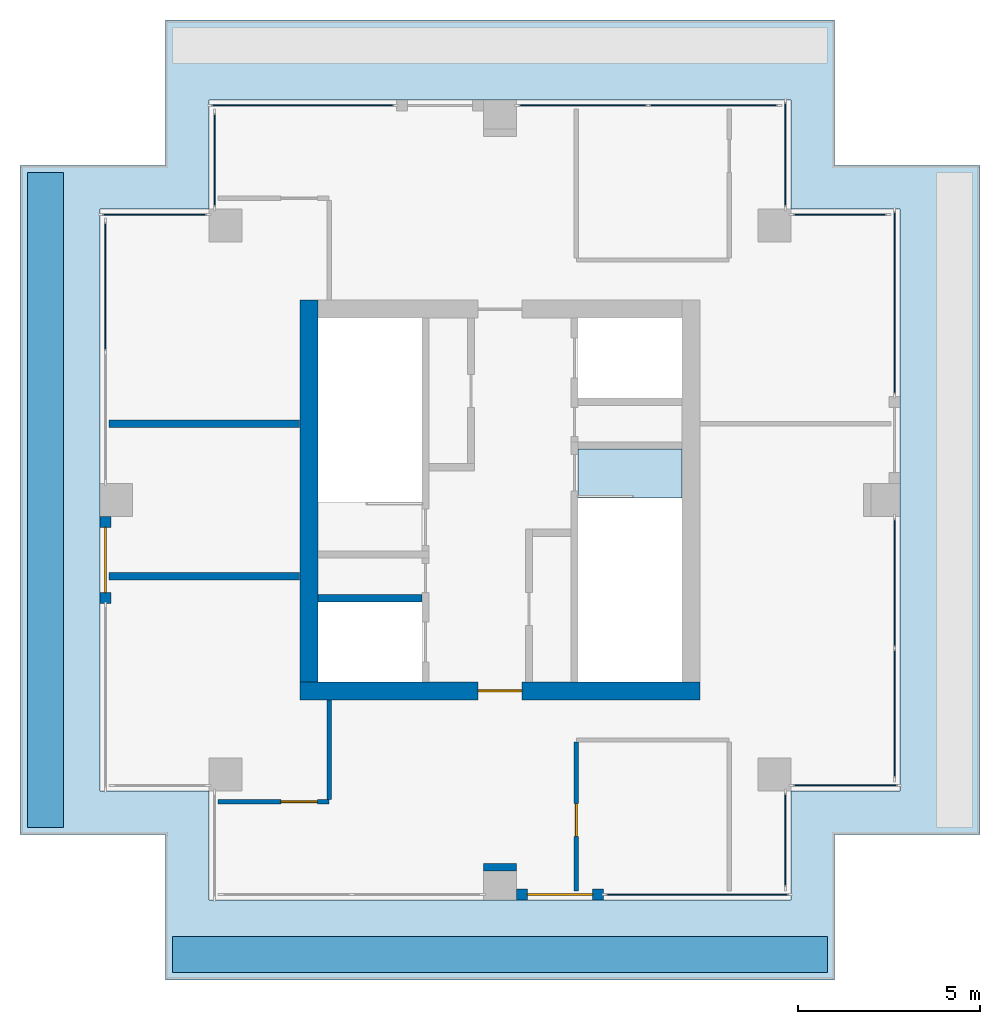
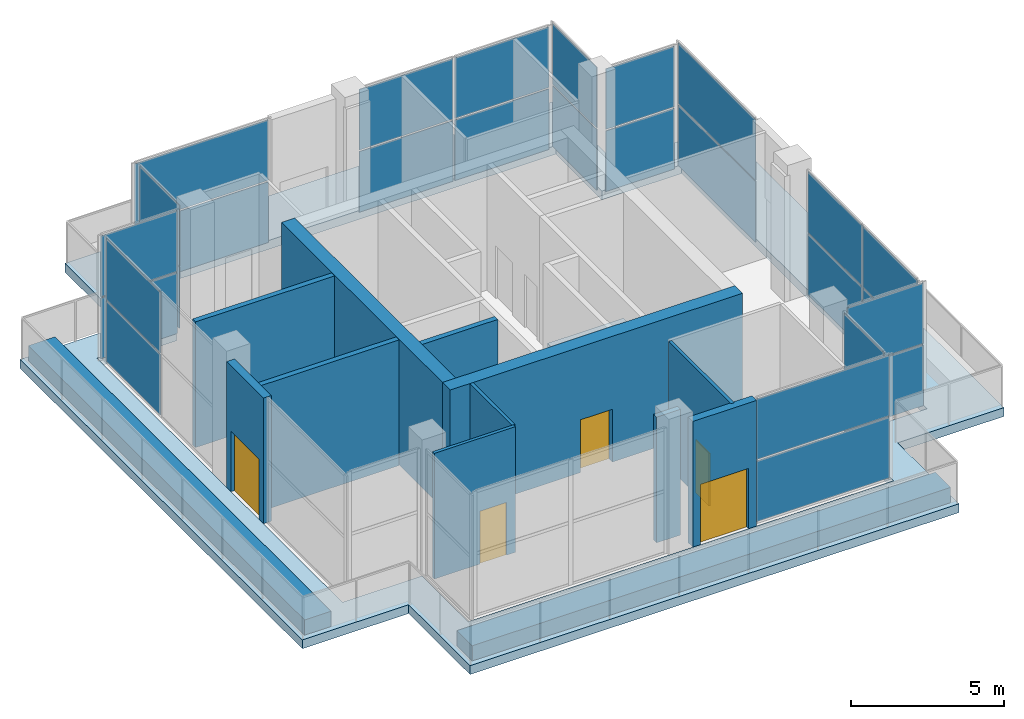
# One storey, part 3 of 5: 28 plates, 13 walls, 5 doors, 2 slabs, 5 openings, 12 elements without a shape of their own.
"""IFC4 building model written with IfcOpenShell, lengths in metres."""

from ifc_helpers import new_model, si_unit, direction, frame, frame_2d, origin, origin_2d, place, context, subcontext, project, spatial, polyline, rectangle, outline, extrude, material, layer, layer_set, type_object, element, fill, aggregate, save


model = new_model("IFC4")

# Units and contexts
model_context = context("Model", 3, precision=1e-05, world=origin(), true_north=direction((0.0, 1.0)))
body_context = subcontext(model_context, "Body", "Model", "MODEL_VIEW")
ifc_project = project(units=[si_unit("LENGTHUNIT", "METRE"), si_unit("AREAUNIT", "SQUARE_METRE"), si_unit("VOLUMEUNIT", "CUBIC_METRE"), si_unit("PLANEANGLEUNIT", "RADIAN"), si_unit("MASSUNIT", "GRAM", prefix="KILO")], contexts=[model_context])

# Site, building, storey
site_placement = place(None, origin())
site = spatial("IfcSite", under=ifc_project, at=site_placement, CompositionType="ELEMENT")
building_placement = place(site_placement, origin())
building = spatial("IfcBuilding", under=site, at=building_placement, Name="Khepri Terraces", CompositionType="ELEMENT")
storey_placement = place(building_placement, frame((0.0, 0.0, 316.199951171875)))
storey = spatial("IfcBuildingStorey", under=building, at=storey_placement, Name="L76", CompositionType="ELEMENT", Elevation=316.199951171875)

# Curtain wall, plates
ifc_material_1 = material(Name="Anodised aluminium bronze curtain wall", Category="aluminium")
curtain_wall_type = type_object("IfcCurtainWallType", Name="CW-SYS4-LANTERN", PredefinedType="NOTDEFINED", material=ifc_material_1)
curtain_wall_1_placement = place(storey_placement, origin())
curtain_wall_1 = element("IfcCurtainWall", 1, at=curtain_wall_1_placement, inside=storey, type_object=curtain_wall_type, Name="Curtain wall CW4 L76 S", PredefinedType="NOTDEFINED")
ifc_material_2 = material(Name="Clear glass", Category="glass")
ifc_layer_1 = layer(ifc_material_2, 0.028076171875, Name="Clear glass", Category="glass")
ifc_layer_set_1 = layer_set([ifc_layer_1], Name="Clear glass")
plate_type = type_object("IfcPlateType", Name="CW-PANEL-VISION-28", PredefinedType="CURTAIN_PANEL", material=ifc_layer_set_1)
plate_1_placement = place(storey_placement, frame((5.425048828125, -10.85009765625, 0.06005859375), z_axis=(0.0, 0.0, 1.0), x_axis=(1.0, 0.0, 0.0)))
plate_1 = element("IfcPlate", 2, at=plate_1_placement, type_object=plate_type, Name="CW4 panel 1.1", PredefinedType="CURTAIN_PANEL", context=body_context, shape_type="SweptSolid", body=[
    extrude(rectangle(XDim=5.030029296875, YDim=0.028076171875, at=origin_2d()), origin(), (0.0, 0.0, 1.0), 2.409912109375),
])
plate_2_placement = place(storey_placement, frame((5.425048828125, -10.85009765625, 2.5302734375), z_axis=(0.0, 0.0, 1.0), x_axis=(1.0, 0.0, 0.0)))
plate_2 = element("IfcPlate", 3, at=plate_2_placement, type_object=plate_type, Name="CW4 panel 1.2", PredefinedType="CURTAIN_PANEL", context=body_context, shape_type="SweptSolid", body=[
    extrude(rectangle(XDim=5.030029296875, YDim=0.028076171875, at=origin_2d()), origin(), (0.0, 0.0, 1.0), 2.409912109375),
])
aggregate(curtain_wall_1, [plate_1, plate_2])

curtain_wall_2_placement = place(storey_placement, origin())
curtain_wall_2 = element("IfcCurtainWall", 4, at=curtain_wall_2_placement, inside=storey, type_object=curtain_wall_type, Name="Curtain wall CW4 L76 S", PredefinedType="NOTDEFINED")
plate_3_placement = place(storey_placement, frame((9.5, -7.85009765625, 0.06005859375), z_axis=(0.0, 0.0, 1.0), x_axis=(1.0, 0.0, 0.0)))
plate_3 = element("IfcPlate", 5, at=plate_3_placement, type_object=plate_type, Name="CW4 panel 1.1", PredefinedType="CURTAIN_PANEL", context=body_context, shape_type="SweptSolid", body=[
    extrude(rectangle(XDim=2.8798828125, YDim=0.028076171875, at=origin_2d()), origin(), (0.0, 0.0, 1.0), 2.409912109375),
])
plate_4_placement = place(storey_placement, frame((9.5, -7.85009765625, 2.5302734375), z_axis=(0.0, 0.0, 1.0), x_axis=(1.0, 0.0, 0.0)))
plate_4 = element("IfcPlate", 6, at=plate_4_placement, type_object=plate_type, Name="CW4 panel 1.2", PredefinedType="CURTAIN_PANEL", context=body_context, shape_type="SweptSolid", body=[
    extrude(rectangle(XDim=2.8798828125, YDim=0.028076171875, at=origin_2d()), origin(), (0.0, 0.0, 1.0), 2.409912109375),
])
aggregate(curtain_wall_2, [plate_3, plate_4])

curtain_wall_3_placement = place(storey_placement, origin())
curtain_wall_3 = element("IfcCurtainWall", 7, at=curtain_wall_3_placement, inside=storey, type_object=curtain_wall_type, Name="Curtain wall CW4 L76 E", PredefinedType="NOTDEFINED")
plate_5_placement = place(storey_placement, frame((7.85009765625, -9.35009765625, 0.06005859375), z_axis=(0.0, 0.0, 1.0), x_axis=(0.0, 1.0, 0.0)))
plate_5 = element("IfcPlate", 8, at=plate_5_placement, type_object=plate_type, Name="CW4 panel 1.1", PredefinedType="CURTAIN_PANEL", context=body_context, shape_type="SweptSolid", body=[
    extrude(rectangle(XDim=2.580078125, YDim=0.028076171875, at=origin_2d()), origin(), (0.0, 0.0, 1.0), 2.409912109375),
])
plate_6_placement = place(storey_placement, frame((7.85009765625, -9.35009765625, 2.5302734375), z_axis=(0.0, 0.0, 1.0), x_axis=(0.0, 1.0, 0.0)))
plate_6 = element("IfcPlate", 9, at=plate_6_placement, type_object=plate_type, Name="CW4 panel 1.2", PredefinedType="CURTAIN_PANEL", context=body_context, shape_type="SweptSolid", body=[
    extrude(rectangle(XDim=2.580078125, YDim=0.028076171875, at=origin_2d()), origin(), (0.0, 0.0, 1.0), 2.409912109375),
])
aggregate(curtain_wall_3, [plate_5, plate_6])

curtain_wall_4_placement = place(storey_placement, origin())
curtain_wall_4 = element("IfcCurtainWall", 10, at=curtain_wall_4_placement, inside=storey, type_object=curtain_wall_type, Name="Curtain wall CW4 L76 E", PredefinedType="NOTDEFINED")
plate_7_placement = place(storey_placement, frame((10.85009765625, -5.87255859375, 0.06005859375), z_axis=(0.0, 0.0, 1.0), x_axis=(0.0, 1.0, 0.0)))
plate_7 = element("IfcPlate", 11, at=plate_7_placement, type_object=plate_type, Name="CW4 panel 1.1", PredefinedType="CURTAIN_PANEL", context=body_context, shape_type="SweptSolid", body=[
    extrude(rectangle(XDim=3.534912109375, YDim=0.028076171875, at=origin_2d()), origin(), (0.0, 0.0, 1.0), 2.409912109375),
])
plate_8_placement = place(storey_placement, frame((10.85009765625, -5.87255859375, 2.5302734375), z_axis=(0.0, 0.0, 1.0), x_axis=(0.0, 1.0, 0.0)))
plate_8 = element("IfcPlate", 12, at=plate_8_placement, type_object=plate_type, Name="CW4 panel 1.2", PredefinedType="CURTAIN_PANEL", context=body_context, shape_type="SweptSolid", body=[
    extrude(rectangle(XDim=3.534912109375, YDim=0.028076171875, at=origin_2d()), origin(), (0.0, 0.0, 1.0), 2.409912109375),
])
plate_9_placement = place(storey_placement, frame((10.85009765625, -2.277587890625, 0.06005859375), z_axis=(0.0, 0.0, 1.0), x_axis=(0.0, 1.0, 0.0)))
plate_9 = element("IfcPlate", 13, at=plate_9_placement, type_object=plate_type, Name="CW4 panel 2.1", PredefinedType="CURTAIN_PANEL", context=body_context, shape_type="SweptSolid", body=[
    extrude(rectangle(XDim=3.534912109375, YDim=0.028076171875, at=origin_2d()), origin(), (0.0, 0.0, 1.0), 2.409912109375),
])
plate_10_placement = place(storey_placement, frame((10.85009765625, -2.277587890625, 2.5302734375), z_axis=(0.0, 0.0, 1.0), x_axis=(0.0, 1.0, 0.0)))
plate_10 = element("IfcPlate", 14, at=plate_10_placement, type_object=plate_type, Name="CW4 panel 2.2", PredefinedType="CURTAIN_PANEL", context=body_context, shape_type="SweptSolid", body=[
    extrude(rectangle(XDim=3.534912109375, YDim=0.028076171875, at=origin_2d()), origin(), (0.0, 0.0, 1.0), 2.409912109375),
])
aggregate(curtain_wall_4, [plate_7, plate_8, plate_9, plate_10])

curtain_wall_5_placement = place(storey_placement, origin())
curtain_wall_5 = element("IfcCurtainWall", 15, at=curtain_wall_5_placement, inside=storey, type_object=curtain_wall_type, Name="Curtain wall CW4 L76 E", PredefinedType="NOTDEFINED")
plate_11_placement = place(storey_placement, frame((10.85009765625, 5.425048828125, 0.06005859375), z_axis=(0.0, 0.0, 1.0), x_axis=(0.0, 1.0, 0.0)))
plate_11 = element("IfcPlate", 16, at=plate_11_placement, type_object=plate_type, Name="CW4 panel 1.1", PredefinedType="CURTAIN_PANEL", context=body_context, shape_type="SweptSolid", body=[
    extrude(rectangle(XDim=5.030029296875, YDim=0.028076171875, at=origin_2d()), origin(), (0.0, 0.0, 1.0), 2.409912109375),
])
plate_12_placement = place(storey_placement, frame((10.85009765625, 5.425048828125, 2.5302734375), z_axis=(0.0, 0.0, 1.0), x_axis=(0.0, 1.0, 0.0)))
plate_12 = element("IfcPlate", 17, at=plate_12_placement, type_object=plate_type, Name="CW4 panel 1.2", PredefinedType="CURTAIN_PANEL", context=body_context, shape_type="SweptSolid", body=[
    extrude(rectangle(XDim=5.030029296875, YDim=0.028076171875, at=origin_2d()), origin(), (0.0, 0.0, 1.0), 2.409912109375),
])
aggregate(curtain_wall_5, [plate_11, plate_12])

curtain_wall_6_placement = place(storey_placement, origin())
curtain_wall_6 = element("IfcCurtainWall", 18, at=curtain_wall_6_placement, inside=storey, type_object=curtain_wall_type, Name="Curtain wall CW4 L76 E", PredefinedType="NOTDEFINED")
plate_13_placement = place(storey_placement, frame((7.85009765625, 9.5, 0.06005859375), z_axis=(0.0, 0.0, 1.0), x_axis=(0.0, 1.0, 0.0)))
plate_13 = element("IfcPlate", 19, at=plate_13_placement, type_object=plate_type, Name="CW4 panel 1.1", PredefinedType="CURTAIN_PANEL", context=body_context, shape_type="SweptSolid", body=[
    extrude(rectangle(XDim=2.8798828125, YDim=0.028076171875, at=origin_2d()), origin(), (0.0, 0.0, 1.0), 2.409912109375),
])
plate_14_placement = place(storey_placement, frame((7.85009765625, 9.5, 2.5302734375), z_axis=(0.0, 0.0, 1.0), x_axis=(0.0, 1.0, 0.0)))
plate_14 = element("IfcPlate", 20, at=plate_14_placement, type_object=plate_type, Name="CW4 panel 1.2", PredefinedType="CURTAIN_PANEL", context=body_context, shape_type="SweptSolid", body=[
    extrude(rectangle(XDim=2.8798828125, YDim=0.028076171875, at=origin_2d()), origin(), (0.0, 0.0, 1.0), 2.409912109375),
])
aggregate(curtain_wall_6, [plate_13, plate_14])

curtain_wall_7_placement = place(storey_placement, origin())
curtain_wall_7 = element("IfcCurtainWall", 21, at=curtain_wall_7_placement, inside=storey, type_object=curtain_wall_type, Name="Curtain wall CW4 L76 N", PredefinedType="NOTDEFINED")
plate_15_placement = place(storey_placement, frame((9.35009765625, 7.85009765625, 0.06005859375), z_axis=(0.0, 0.0, 1.0), x_axis=(-1.0, 0.0, 0.0)))
plate_15 = element("IfcPlate", 22, at=plate_15_placement, type_object=plate_type, Name="CW4 panel 1.1", PredefinedType="CURTAIN_PANEL", context=body_context, shape_type="SweptSolid", body=[
    extrude(rectangle(XDim=2.580078125, YDim=0.028076171875, at=origin_2d()), origin(), (0.0, 0.0, 1.0), 2.409912109375),
])
plate_16_placement = place(storey_placement, frame((9.35009765625, 7.85009765625, 2.5302734375), z_axis=(0.0, 0.0, 1.0), x_axis=(-1.0, 0.0, 0.0)))
plate_16 = element("IfcPlate", 23, at=plate_16_placement, type_object=plate_type, Name="CW4 panel 1.2", PredefinedType="CURTAIN_PANEL", context=body_context, shape_type="SweptSolid", body=[
    extrude(rectangle(XDim=2.580078125, YDim=0.028076171875, at=origin_2d()), origin(), (0.0, 0.0, 1.0), 2.409912109375),
])
aggregate(curtain_wall_7, [plate_15, plate_16])

curtain_wall_8_placement = place(storey_placement, origin())
curtain_wall_8 = element("IfcCurtainWall", 24, at=curtain_wall_8_placement, inside=storey, type_object=curtain_wall_type, Name="Curtain wall CW4 L76 N", PredefinedType="NOTDEFINED")
plate_17_placement = place(storey_placement, frame((5.87255859375, 10.85009765625, 0.06005859375), z_axis=(0.0, 0.0, 1.0), x_axis=(-1.0, 0.0, 0.0)))
plate_17 = element("IfcPlate", 25, at=plate_17_placement, type_object=plate_type, Name="CW4 panel 1.1", PredefinedType="CURTAIN_PANEL", context=body_context, shape_type="SweptSolid", body=[
    extrude(rectangle(XDim=3.534912109375, YDim=0.028076171875, at=origin_2d()), origin(), (0.0, 0.0, 1.0), 2.409912109375),
])
plate_18_placement = place(storey_placement, frame((5.87255859375, 10.85009765625, 2.5302734375), z_axis=(0.0, 0.0, 1.0), x_axis=(-1.0, 0.0, 0.0)))
plate_18 = element("IfcPlate", 26, at=plate_18_placement, type_object=plate_type, Name="CW4 panel 1.2", PredefinedType="CURTAIN_PANEL", context=body_context, shape_type="SweptSolid", body=[
    extrude(rectangle(XDim=3.534912109375, YDim=0.028076171875, at=origin_2d()), origin(), (0.0, 0.0, 1.0), 2.409912109375),
])
plate_19_placement = place(storey_placement, frame((2.277587890625, 10.85009765625, 0.06005859375), z_axis=(0.0, 0.0, 1.0), x_axis=(-1.0, 0.0, 0.0)))
plate_19 = element("IfcPlate", 27, at=plate_19_placement, type_object=plate_type, Name="CW4 panel 2.1", PredefinedType="CURTAIN_PANEL", context=body_context, shape_type="SweptSolid", body=[
    extrude(rectangle(XDim=3.534912109375, YDim=0.028076171875, at=origin_2d()), origin(), (0.0, 0.0, 1.0), 2.409912109375),
])
plate_20_placement = place(storey_placement, frame((2.277587890625, 10.85009765625, 2.5302734375), z_axis=(0.0, 0.0, 1.0), x_axis=(-1.0, 0.0, 0.0)))
plate_20 = element("IfcPlate", 28, at=plate_20_placement, type_object=plate_type, Name="CW4 panel 2.2", PredefinedType="CURTAIN_PANEL", context=body_context, shape_type="SweptSolid", body=[
    extrude(rectangle(XDim=3.534912109375, YDim=0.028076171875, at=origin_2d()), origin(), (0.0, 0.0, 1.0), 2.409912109375),
])
aggregate(curtain_wall_8, [plate_17, plate_18, plate_19, plate_20])

curtain_wall_9_placement = place(storey_placement, origin())
curtain_wall_9 = element("IfcCurtainWall", 29, at=curtain_wall_9_placement, inside=storey, type_object=curtain_wall_type, Name="Curtain wall CW4 L76 N", PredefinedType="NOTDEFINED")
plate_21_placement = place(storey_placement, frame((-5.425048828125, 10.85009765625, 0.06005859375), z_axis=(0.0, 0.0, 1.0), x_axis=(-1.0, 0.0, 0.0)))
plate_21 = element("IfcPlate", 30, at=plate_21_placement, type_object=plate_type, Name="CW4 panel 1.1", PredefinedType="CURTAIN_PANEL", context=body_context, shape_type="SweptSolid", body=[
    extrude(rectangle(XDim=5.030029296875, YDim=0.028076171875, at=origin_2d()), origin(), (0.0, 0.0, 1.0), 2.409912109375),
])
plate_22_placement = place(storey_placement, frame((-5.425048828125, 10.85009765625, 2.5302734375), z_axis=(0.0, 0.0, 1.0), x_axis=(-1.0, 0.0, 0.0)))
plate_22 = element("IfcPlate", 31, at=plate_22_placement, type_object=plate_type, Name="CW4 panel 1.2", PredefinedType="CURTAIN_PANEL", context=body_context, shape_type="SweptSolid", body=[
    extrude(rectangle(XDim=5.030029296875, YDim=0.028076171875, at=origin_2d()), origin(), (0.0, 0.0, 1.0), 2.409912109375),
])
aggregate(curtain_wall_9, [plate_21, plate_22])

curtain_wall_10_placement = place(storey_placement, origin())
curtain_wall_10 = element("IfcCurtainWall", 32, at=curtain_wall_10_placement, inside=storey, type_object=curtain_wall_type, Name="Curtain wall CW4 L76 N", PredefinedType="NOTDEFINED")
plate_23_placement = place(storey_placement, frame((-9.5, 7.85009765625, 0.06005859375), z_axis=(0.0, 0.0, 1.0), x_axis=(-1.0, 0.0, 0.0)))
plate_23 = element("IfcPlate", 33, at=plate_23_placement, type_object=plate_type, Name="CW4 panel 1.1", PredefinedType="CURTAIN_PANEL", context=body_context, shape_type="SweptSolid", body=[
    extrude(rectangle(XDim=2.8798828125, YDim=0.028076171875, at=origin_2d()), origin(), (0.0, 0.0, 1.0), 2.409912109375),
])
plate_24_placement = place(storey_placement, frame((-9.5, 7.85009765625, 2.5302734375), z_axis=(0.0, 0.0, 1.0), x_axis=(-1.0, 0.0, 0.0)))
plate_24 = element("IfcPlate", 34, at=plate_24_placement, type_object=plate_type, Name="CW4 panel 1.2", PredefinedType="CURTAIN_PANEL", context=body_context, shape_type="SweptSolid", body=[
    extrude(rectangle(XDim=2.8798828125, YDim=0.028076171875, at=origin_2d()), origin(), (0.0, 0.0, 1.0), 2.409912109375),
])
aggregate(curtain_wall_10, [plate_23, plate_24])

curtain_wall_11_placement = place(storey_placement, origin())
curtain_wall_11 = element("IfcCurtainWall", 35, at=curtain_wall_11_placement, inside=storey, type_object=curtain_wall_type, Name="Curtain wall CW4 L76 W", PredefinedType="NOTDEFINED")
plate_25_placement = place(storey_placement, frame((-7.85009765625, 9.35009765625, 0.06005859375), z_axis=(0.0, 0.0, 1.0), x_axis=(0.0, -1.0, 0.0)))
plate_25 = element("IfcPlate", 36, at=plate_25_placement, type_object=plate_type, Name="CW4 panel 1.1", PredefinedType="CURTAIN_PANEL", context=body_context, shape_type="SweptSolid", body=[
    extrude(rectangle(XDim=2.580078125, YDim=0.028076171875, at=origin_2d()), origin(), (0.0, 0.0, 1.0), 2.409912109375),
])
plate_26_placement = place(storey_placement, frame((-7.85009765625, 9.35009765625, 2.5302734375), z_axis=(0.0, 0.0, 1.0), x_axis=(0.0, -1.0, 0.0)))
plate_26 = element("IfcPlate", 37, at=plate_26_placement, type_object=plate_type, Name="CW4 panel 1.2", PredefinedType="CURTAIN_PANEL", context=body_context, shape_type="SweptSolid", body=[
    extrude(rectangle(XDim=2.580078125, YDim=0.028076171875, at=origin_2d()), origin(), (0.0, 0.0, 1.0), 2.409912109375),
])
aggregate(curtain_wall_11, [plate_25, plate_26])

curtain_wall_12_placement = place(storey_placement, origin())
curtain_wall_12 = element("IfcCurtainWall", 38, at=curtain_wall_12_placement, inside=storey, type_object=curtain_wall_type, Name="Curtain wall CW4 L76 W", PredefinedType="NOTDEFINED")
plate_27_placement = place(storey_placement, frame((-10.85009765625, 5.87255859375, 0.06005859375), z_axis=(0.0, 0.0, 1.0), x_axis=(0.0, -1.0, 0.0)))
plate_27 = element("IfcPlate", 39, at=plate_27_placement, type_object=plate_type, Name="CW4 panel 1.1", PredefinedType="CURTAIN_PANEL", context=body_context, shape_type="SweptSolid", body=[
    extrude(rectangle(XDim=3.534912109375, YDim=0.028076171875, at=origin_2d()), origin(), (0.0, 0.0, 1.0), 2.409912109375),
])
plate_28_placement = place(storey_placement, frame((-10.85009765625, 5.87255859375, 2.5302734375), z_axis=(0.0, 0.0, 1.0), x_axis=(0.0, -1.0, 0.0)))
plate_28 = element("IfcPlate", 40, at=plate_28_placement, type_object=plate_type, Name="CW4 panel 1.2", PredefinedType="CURTAIN_PANEL", context=body_context, shape_type="SweptSolid", body=[
    extrude(rectangle(XDim=3.534912109375, YDim=0.028076171875, at=origin_2d()), origin(), (0.0, 0.0, 1.0), 2.409912109375),
])
aggregate(curtain_wall_12, [plate_27, plate_28])

# Slabs
ifc_material_3 = material(Name="Concrete C40/50", Category="concrete")
ifc_layer_2 = layer(ifc_material_3, 0.35009765625, Name="Concrete C40/50", Category="concrete")
ifc_layer_set_2 = layer_set([ifc_layer_2], Name="Concrete C40/50")
slab_type_1 = type_object("IfcSlabType", Name="Crown roof slab 350", PredefinedType="ROOF", material=ifc_layer_set_2)
slab_1_placement = place(storey_placement, frame((0.0, 0.0, -0.349853515625)))
element("IfcSlab", 41, at=slab_1_placement, inside=storey, type_object=slab_type_1, Name="Roof slab R01 below L76", PredefinedType="ROOF", context=body_context, shape_type="SweptSolid", body=[
    extrude(outline(polyline([(-9.199951171875, -9.199951171875), (-11.0, -9.199951171875), (-13.199951171875, -9.199951171875), (-13.199951171875, 9.199951171875), (-11.0, 9.199951171875), (-9.199951171875, 9.199951171875), (-9.199951171875, 11.0), (-9.199951171875, 13.199951171875), (9.199951171875, 13.199951171875), (9.199951171875, 11.0), (9.199951171875, 9.199951171875), (11.0, 9.199951171875), (13.199951171875, 9.199951171875), (13.199951171875, -9.199951171875), (11.0, -9.199951171875), (9.199951171875, -9.199951171875), (9.199951171875, -11.0), (9.199951171875, -13.199951171875), (-9.199951171875, -13.199951171875), (-9.199951171875, -11.0), (-9.199951171875, -9.199951171875)]), holes=[polyline([(-11.0, -8.0), (-8.0, -8.0), (-8.0, -11.0), (8.0, -11.0), (8.0, -8.0), (11.0, -8.0), (11.0, 8.0), (8.0, 8.0), (8.0, 11.0), (-8.0, 11.0), (-8.0, 8.0), (-11.0, 8.0), (-11.0, -8.0)])]), origin(), (0.0, 0.0, 1.0), 0.349853515625),
])
ifc_layer_3 = layer(ifc_material_3, 0.199951171875, Name="Concrete C40/50", Category="concrete")
ifc_layer_set_3 = layer_set([ifc_layer_3], Name="Concrete C40/50")
slab_type_2 = type_object("IfcSlabType", Name="SLB-CORE-LANDING", PredefinedType="LANDING", material=ifc_layer_set_3)
slab_2_placement = place(storey_placement, frame((0.0, 0.0, -0.199951171875)))
element("IfcSlab", 42, at=slab_2_placement, inside=storey, type_object=slab_type_2, Name="ST-2 floor landing L76", PredefinedType="LANDING", context=body_context, shape_type="SweptSolid", body=[
    extrude(outline(polyline([(2.14990234375, 1.39990234375), (2.14990234375, 0.050048828125), (5.0, 0.050048828125), (5.0, 1.39990234375), (2.14990234375, 1.39990234375)])), origin(), (0.0, 0.0, 1.0), 0.199951171875),
])

# Wall
ifc_layer_4 = layer(ifc_material_3, 0.199951171875, Name="Concrete C40/50", Category="concrete")
ifc_layer_set_4 = layer_set([ifc_layer_4], Name="Concrete C40/50")
wall_type_1 = type_object("IfcWallType", Name="Core wall 200 C40/50", PredefinedType="SHEAR", material=ifc_layer_set_4)
wall_1_placement = place(storey_placement, frame((-5.0, -2.699951171875, 0.0), z_axis=(0.0, 0.0, 1.0), x_axis=(1.0, 0.0, 0.0)))
element("IfcWall", 43, at=wall_1_placement, inside=storey, type_object=wall_type_1, Name="Core wall SH03 L76", PredefinedType="SHEAR", context=body_context, shape_type="SweptSolid", body=[
    extrude(rectangle(XDim=2.85009765625, YDim=0.199951171875, at=frame_2d((1.425048828125, 0.0))), origin(), (0.0, 0.0, 1.0), 5.0),
])

# Wall, opening, door
ifc_layer_5 = layer(ifc_material_3, 0.5, Name="Concrete C40/50", Category="concrete")
ifc_layer_set_5 = layer_set([ifc_layer_5], Name="Concrete C40/50")
wall_type_2 = type_object("IfcWallType", Name="Core wall 500 C40/50", PredefinedType="SHEAR", material=ifc_layer_set_5)
wall_2_placement = place(storey_placement, frame((-5.5, -5.25, 0.0), z_axis=(0.0, 0.0, 1.0), x_axis=(1.0, 0.0, 0.0)))
wall_2 = element("IfcWall", 44, at=wall_2_placement, inside=storey, type_object=wall_type_2, Name="Core wall BX01 L76", PredefinedType="SHEAR", context=body_context, shape_type="SweptSolid", body=[
    extrude(rectangle(XDim=11.0, YDim=0.5, at=frame_2d((5.5, 0.0))), origin(), (0.0, 0.0, 1.0), 5.0),
])
opening_1_placement = place(wall_2_placement, frame((4.89990234375, 0.0, 0.0)))
opening_1 = element("IfcOpeningElement", 45, at=opening_1_placement, cuts=wall_2, Name="Opening L76-C10", PredefinedType="OPENING", context=body_context, shape_type="SweptSolid", body=[
    extrude(rectangle(XDim=1.199951171875, YDim=2.10009765625, at=frame_2d((0.60009765625, 1.050048828125))), frame((0.0, 0.260009765625, 0.0), z_axis=(0.0, -1.0, 0.0), x_axis=(1.0, 0.0, 0.0)), (0.0, 0.0, 1.0), 0.52001953125),
])
ifc_material_4 = material(Name="Painted steel", Category="steel")
door_type_1 = type_object("IfcDoorType", Name="DR-CORE-FF-LOBBY-1200", OperationType="NOTDEFINED", PredefinedType="DOOR", material=ifc_material_4)
door_1_placement = place(opening_1_placement, frame((1.199951171875, 0.0, 0.0), z_axis=(0.0, 0.0, 1.0), x_axis=(-1.0, 0.0, 0.0)))
door_1 = element("IfcDoor", 46, at=door_1_placement, inside=storey, type_object=door_type_1, Name="Firefighting lobby door L76-C10", OperationType="SINGLE_SWING_LEFT", OverallHeight=2.10009765625, OverallWidth=1.199951171875, PredefinedType="DOOR", context=body_context, shape_type="SweptSolid", body=[
    extrude(rectangle(XDim=1.199951171875, YDim=2.10009765625, at=frame_2d((0.60009765625, 1.050048828125))), frame((0.0, 0.02490234375, 0.0), z_axis=(0.0, -1.0, 0.0), x_axis=(1.0, 0.0, 0.0)), (0.0, 0.0, 1.0), 0.050048828125),
])
fill(opening_1, door_1)

# Walls
wall_3_placement = place(storey_placement, frame((-5.25, -5.0, 0.0), z_axis=(0.0, 0.0, 1.0), x_axis=(0.0, 1.0, 0.0)))
element("IfcWall", 47, at=wall_3_placement, inside=storey, type_object=wall_type_2, Name="Core wall BX02 L76", PredefinedType="SHEAR", context=body_context, shape_type="SweptSolid", body=[
    extrude(rectangle(XDim=10.5, YDim=0.5, at=frame_2d((5.25, 0.0))), origin(), (0.0, 0.0, 1.0), 5.0),
])
ifc_material_5 = material(Name="Fire-rated gypsum plasterboard partition, mineral wool")
ifc_layer_6 = layer(ifc_material_5, 0.199951171875, Name="Fire-rated gypsum plasterboard partition, mineral wool")
ifc_layer_set_6 = layer_set([ifc_layer_6], Name="Fire-rated gypsum plasterboard partition, mineral wool")
wall_type_3 = type_object("IfcWallType", Name="WL-CORR-200", PredefinedType="PARTITIONING", material=ifc_layer_set_6)
wall_4_placement = place(storey_placement, frame((-0.449951171875, -10.10009765625, 0.0), z_axis=(0.0, 0.0, 1.0), x_axis=(1.0, 0.0, 0.0)))
element("IfcWall", 48, at=wall_4_placement, inside=storey, type_object=wall_type_3, Name="Partition P-003 L76", PredefinedType="PARTITIONING", context=body_context, shape_type="SweptSolid", body=[
    extrude(rectangle(XDim=0.89990234375, YDim=0.199951171875, at=frame_2d((0.449951171875, 0.0))), origin(), (0.0, 0.0, 1.0), 5.0),
])
for number, where, z_axis, x_axis, name in (
    (49, (-10.75, -2.10009765625, 0.0), (0.0, 0.0, 1.0), (1.0, 0.0, 0.0), "Partition P-007 L76"),
    (50, (-10.75, 2.10009765625, 0.0), (0.0, 0.0, 1.0), (1.0, 0.0, 0.0), "Partition P-009 L76"),
):
    element("IfcWall", number, at=place(storey_placement, frame(where, z_axis=z_axis, x_axis=x_axis)), inside=storey, type_object=wall_type_3, Name=name, PredefinedType="PARTITIONING", context=body_context, shape_type="SweptSolid", body=[
        extrude(rectangle(XDim=5.22998046875, YDim=0.199951171875, at=frame_2d((2.614990234375, 0.0))), origin(), (0.0, 0.0, 1.0), 5.0),
    ])

# Wall, opening, door
ifc_material_6 = material(Name="Precast concrete C50/60 warm stone", Category="masonry")
ifc_layer_7 = layer(ifc_material_6, 0.300048828125, Name="Precast concrete C50/60 warm stone", Category="masonry")
ifc_layer_set_7 = layer_set([ifc_layer_7], Name="Precast concrete C50/60 warm stone")
wall_type_4 = type_object("IfcWallType", Name="WL-EXT-PRECAST-300", PredefinedType="STANDARD", material=ifc_layer_set_7)
wall_5_placement = place(storey_placement, frame((0.449951171875, -10.85009765625, 0.0), z_axis=(0.0, 0.0, 1.0), x_axis=(1.0, 0.0, 0.0)))
wall_5 = element("IfcWall", 51, at=wall_5_placement, inside=storey, type_object=wall_type_4, Name="External wall L76 S", PredefinedType="STANDARD", context=body_context, shape_type="SweptSolid", body=[
    extrude(rectangle(XDim=2.400146484375, YDim=0.300048828125, at=frame_2d((1.2001953125, 0.0))), origin(), (0.0, 0.0, 1.0), 5.0),
])
opening_2_placement = place(wall_5_placement, frame((0.300048828125, 0.0, 0.0)))
opening_2 = element("IfcOpeningElement", 52, at=opening_2_placement, cuts=wall_5, Name="Opening ED-L76-01", PredefinedType="OPENING", context=body_context, shape_type="SweptSolid", body=[
    extrude(rectangle(XDim=1.800048828125, YDim=2.39990234375, at=frame_2d((0.89990234375, 1.199951171875))), frame((0.0, 0.16015625, 0.0), z_axis=(0.0, -1.0, 0.0), x_axis=(1.0, 0.0, 0.0)), (0.0, 0.0, 1.0), 0.320068359375),
])
ifc_material_7 = material(Name="Anodised aluminium bronze glazed door", Category="aluminium")
door_type_2 = type_object("IfcDoorType", Name="DR-BAL-SLIDE-1800x2400", OperationType="NOTDEFINED", PredefinedType="DOOR", material=ifc_material_7)
door_2_placement = place(opening_2_placement, origin())
door_2 = element("IfcDoor", 53, at=door_2_placement, inside=storey, type_object=door_type_2, Name="Terrace door L76 S", OperationType="SLIDING_TO_LEFT", OverallHeight=2.39990234375, OverallWidth=1.800048828125, PredefinedType="DOOR", context=body_context, shape_type="SweptSolid", body=[
    extrude(rectangle(XDim=1.800048828125, YDim=2.39990234375, at=frame_2d((0.89990234375, 1.199951171875))), frame((0.0, 0.02490234375, 0.0), z_axis=(0.0, -1.0, 0.0), x_axis=(1.0, 0.0, 0.0)), (0.0, 0.0, 1.0), 0.050048828125),
])
fill(opening_2, door_2)

wall_6_placement = place(storey_placement, frame((-10.85009765625, -0.449951171875, 0.0), z_axis=(0.0, 0.0, 1.0), x_axis=(0.0, -1.0, 0.0)))
wall_6 = element("IfcWall", 54, at=wall_6_placement, inside=storey, type_object=wall_type_4, Name="External wall L76 W", PredefinedType="STANDARD", context=body_context, shape_type="SweptSolid", body=[
    extrude(rectangle(XDim=2.400146484375, YDim=0.300048828125, at=frame_2d((1.2001953125, 0.0))), origin(), (0.0, 0.0, 1.0), 5.0),
])
opening_3_placement = place(wall_6_placement, frame((0.300048828125, 0.0, 0.0)))
opening_3 = element("IfcOpeningElement", 55, at=opening_3_placement, cuts=wall_6, Name="Opening ED-L76-04", PredefinedType="OPENING", context=body_context, shape_type="SweptSolid", body=[
    extrude(rectangle(XDim=1.800048828125, YDim=2.39990234375, at=frame_2d((0.89990234375, 1.199951171875))), frame((0.0, 0.16015625, 0.0), z_axis=(0.0, -1.0, 0.0), x_axis=(1.0, 0.0, 0.0)), (0.0, 0.0, 1.0), 0.320068359375),
])
door_3_placement = place(opening_3_placement, origin())
door_3 = element("IfcDoor", 56, at=door_3_placement, inside=storey, type_object=door_type_2, Name="Terrace door L76 W", OperationType="SLIDING_TO_LEFT", OverallHeight=2.39990234375, OverallWidth=1.800048828125, PredefinedType="DOOR", context=body_context, shape_type="SweptSolid", body=[
    extrude(rectangle(XDim=1.800048828125, YDim=2.39990234375, at=frame_2d((0.89990234375, 1.199951171875))), frame((0.0, 0.02490234375, 0.0), z_axis=(0.0, -1.0, 0.0), x_axis=(1.0, 0.0, 0.0)), (0.0, 0.0, 1.0), 0.050048828125),
])
fill(opening_3, door_3)

ifc_material_8 = material(Name="Gypsum plasterboard partition")
ifc_layer_8 = layer(ifc_material_8, 0.1201171875, Name="Gypsum plasterboard partition")
ifc_layer_set_8 = layer_set([ifc_layer_8], Name="Gypsum plasterboard partition")
wall_type_5 = type_object("IfcWallType", Name="WL-PART-120", PredefinedType="PARTITIONING", material=ifc_layer_set_8)
wall_7_placement = place(storey_placement, frame((2.10009765625, -10.75, 0.0), z_axis=(0.0, 0.0, 1.0), x_axis=(0.0, 1.0, 0.0)))
wall_7 = element("IfcWall", 57, at=wall_7_placement, inside=storey, type_object=wall_type_5, Name="Partition P-001 L76", PredefinedType="PARTITIONING", context=body_context, shape_type="SweptSolid", body=[
    extrude(rectangle(XDim=4.090087890625, YDim=0.1201171875, at=frame_2d((2.044921875, 0.0))), origin(), (0.0, 0.0, 1.0), 5.0),
])
opening_4_placement = place(wall_7_placement, frame((1.5, 0.0, 0.0)))
opening_4 = element("IfcOpeningElement", 58, at=opening_4_placement, cuts=wall_7, Name="Opening D4", PredefinedType="OPENING", context=body_context, shape_type="SweptSolid", body=[
    extrude(rectangle(XDim=0.89990234375, YDim=2.10009765625, at=frame_2d((0.449951171875, 1.050048828125))), frame((0.0, 0.070068359375, 0.0), z_axis=(0.0, -1.0, 0.0), x_axis=(1.0, 0.0, 0.0)), (0.0, 0.0, 1.0), 0.14013671875),
])
ifc_material_9 = material(Name="Timber door leaf, moisture resistant", Category="wood")
door_type_3 = type_object("IfcDoorType", Name="DR-WET-900", OperationType="NOTDEFINED", PredefinedType="DOOR", material=ifc_material_9)
door_4_placement = place(opening_4_placement, frame((0.89990234375, 0.0, 0.0), z_axis=(0.0, 0.0, 1.0), x_axis=(-1.0, 0.0, 0.0)))
door_4 = element("IfcDoor", 59, at=door_4_placement, inside=storey, type_object=door_type_3, Name="Door Accessible Wc", OperationType="SINGLE_SWING_RIGHT", OverallHeight=2.10009765625, OverallWidth=0.89990234375, PredefinedType="DOOR", context=body_context, shape_type="SweptSolid", body=[
    extrude(rectangle(XDim=0.89990234375, YDim=2.10009765625, at=frame_2d((0.449951171875, 1.050048828125))), frame((0.0, 0.02490234375, 0.0), z_axis=(0.0, -1.0, 0.0), x_axis=(1.0, 0.0, 0.0)), (0.0, 0.0, 1.0), 0.050048828125),
])
fill(opening_4, door_4)

wall_8_placement = place(storey_placement, frame((-7.75, -8.300048828125, 0.0), z_axis=(0.0, 0.0, 1.0), x_axis=(1.0, 0.0, 0.0)))
wall_8 = element("IfcWall", 60, at=wall_8_placement, inside=storey, type_object=wall_type_5, Name="Partition P-004 L76", PredefinedType="PARTITIONING", context=body_context, shape_type="SweptSolid", body=[
    extrude(rectangle(XDim=3.050048828125, YDim=0.1201171875, at=frame_2d((1.52490234375, 0.0))), origin(), (0.0, 0.0, 1.0), 5.0),
])
opening_5_placement = place(wall_8_placement, frame((1.72509765625, 0.0, 0.0)))
opening_5 = element("IfcOpeningElement", 61, at=opening_5_placement, cuts=wall_8, Name="Opening D2", PredefinedType="OPENING", context=body_context, shape_type="SweptSolid", body=[
    extrude(rectangle(XDim=1.0, YDim=2.10009765625, at=frame_2d((0.5, 1.050048828125))), frame((0.0, 0.070068359375, 0.0), z_axis=(0.0, -1.0, 0.0), x_axis=(1.0, 0.0, 0.0)), (0.0, 0.0, 1.0), 0.14013671875),
])
ifc_material_10 = material(Name="Timber door leaf, living room door", Category="wood")
door_type_4 = type_object("IfcDoorType", Name="DR-INT-1000", OperationType="NOTDEFINED", PredefinedType="DOOR", material=ifc_material_10)
door_5_placement = place(opening_5_placement, origin())
door_5 = element("IfcDoor", 62, at=door_5_placement, inside=storey, type_object=door_type_4, Name="Door Lounge Store", OperationType="SINGLE_SWING_RIGHT", OverallHeight=2.10009765625, OverallWidth=1.0, PredefinedType="DOOR", context=body_context, shape_type="SweptSolid", body=[
    extrude(rectangle(XDim=1.0, YDim=2.10009765625, at=frame_2d((0.5, 1.050048828125))), frame((0.0, 0.02490234375, 0.0), z_axis=(0.0, -1.0, 0.0), x_axis=(1.0, 0.0, 0.0)), (0.0, 0.0, 1.0), 0.050048828125),
])
fill(opening_5, door_5)

# Walls
wall_9_placement = place(storey_placement, frame((-4.699951171875, -8.239990234375, 0.0), z_axis=(0.0, 0.0, 1.0), x_axis=(0.0, 1.0, 0.0)))
element("IfcWall", 63, at=wall_9_placement, inside=storey, type_object=wall_type_5, Name="Partition P-005 L76", PredefinedType="PARTITIONING", context=body_context, shape_type="SweptSolid", body=[
    extrude(rectangle(XDim=2.739990234375, YDim=0.1201171875, at=frame_2d((1.3701171875, 0.0))), origin(), (0.0, 0.0, 1.0), 5.0),
])
ifc_layer_9 = layer(ifc_material_6, 1.0, Name="Precast concrete C50/60 warm stone", Category="masonry")
ifc_layer_set_9 = layer_set([ifc_layer_9], Name="Precast concrete C50/60 warm stone")
wall_type_6 = type_object("IfcWallType", Name="WL-PLANTER-1000", PredefinedType="MOVABLE", material=ifc_layer_set_9)
for number, where, z_axis, x_axis, name in (
    (64, (-9.0, -12.5, 0.0), (0.0, 0.0, 1.0), (1.0, 0.0, 0.0), "Planter L76"),
    (65, (-12.5, -9.0, 0.0), (0.0, 0.0, 1.0), (0.0, 1.0, 0.0), "Planter L76"),
):
    element("IfcWall", number, at=place(storey_placement, frame(where, z_axis=z_axis, x_axis=x_axis)), inside=storey, type_object=wall_type_6, Name=name, PredefinedType="MOVABLE", context=body_context, shape_type="SweptSolid", body=[
        extrude(rectangle(XDim=18.0, YDim=1.0, at=frame_2d((9.0, 0.0))), origin(), (0.0, 0.0, 1.0), 0.60009765625),
    ])

save(model, "model.ifc")
